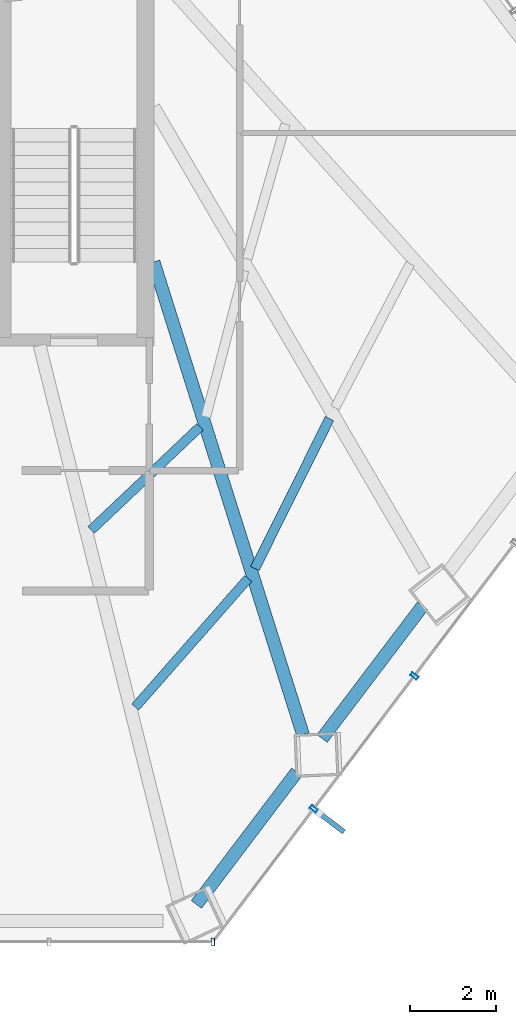
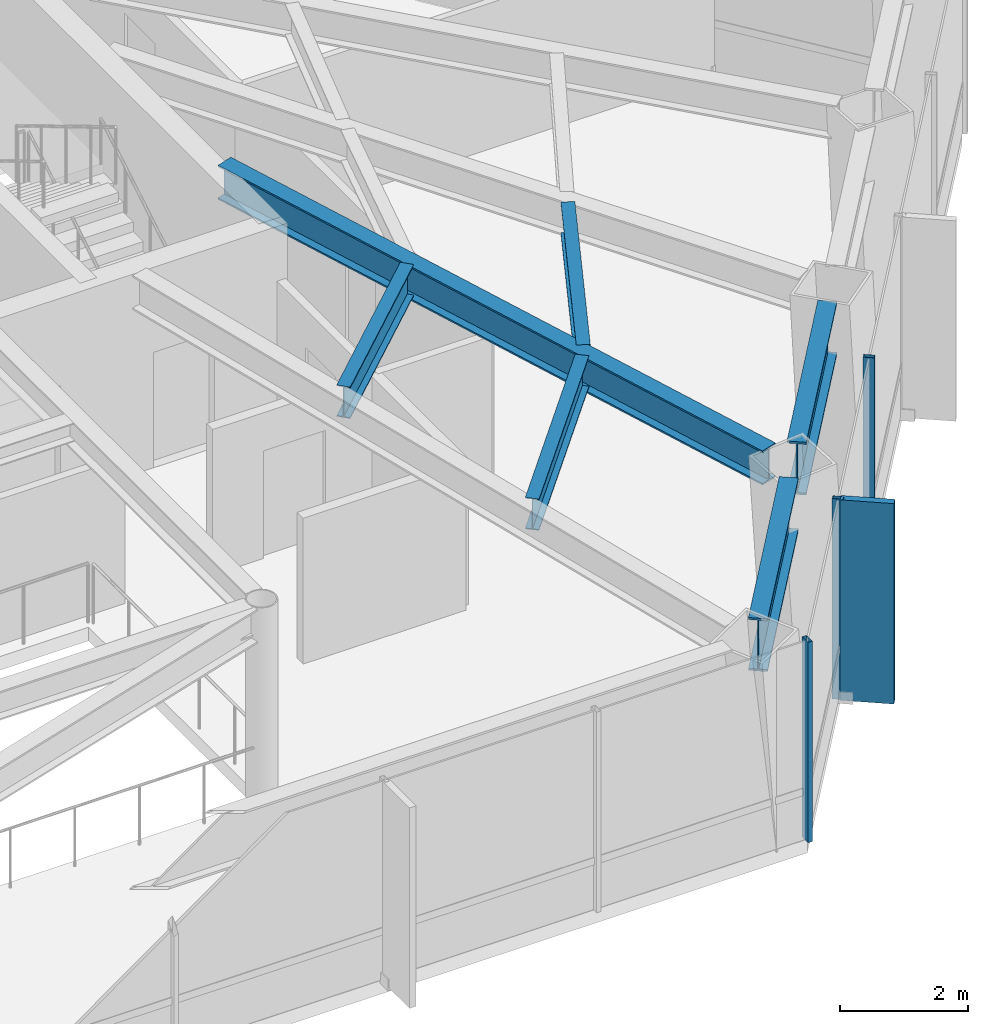
# One storey, part 17 of 26: 6 beams, 4 members, 2 elements without a shape of their own.
"""IFC4 building model written with IfcOpenShell, lengths in metres."""

from ifc_helpers import new_model, si_unit, direction, frame, origin, origin_2d, place, context, subcontext, project, spatial, rectangle, hollow_rectangle, i_section, extrude, material, layer, layer_set, material_profile, profile_set, type_object, element, aggregate, save


model = new_model("IFC4")

# Units and contexts
model_context = context("Model", 3, precision=1e-05, world=origin(), true_north=direction((0.0, 1.0)))
body_context = subcontext(model_context, "Body", "Model", "MODEL_VIEW")
ifc_project = project(units=[si_unit("LENGTHUNIT", "METRE"), si_unit("AREAUNIT", "SQUARE_METRE"), si_unit("VOLUMEUNIT", "CUBIC_METRE"), si_unit("PLANEANGLEUNIT", "RADIAN"), si_unit("MASSUNIT", "GRAM", prefix="KILO")], contexts=[model_context])

# Site, building, storey
site_placement = place(None, origin())
site = spatial("IfcSite", under=ifc_project, at=site_placement, CompositionType="ELEMENT")
building_placement = place(site_placement, origin())
building = spatial("IfcBuilding", under=site, at=building_placement, Name="Zarrinselat Tower", CompositionType="ELEMENT")
storey_placement = place(building_placement, frame((0.0, 0.0, 35.699951171875)))
storey = spatial("IfcBuildingStorey", under=building, at=storey_placement, Name="L08", CompositionType="ELEMENT", Elevation=35.699951171875)

# Beams
ifc_material_1 = material(Name="Steel S355J2", Category="steel")
ifc_material_profile_1 = material_profile(ifc_material_1, i_section(OverallWidth=0.300048828125, OverallDepth=0.64990234375, WebThickness=0.01611328125, FlangeThickness=0.031005859375, at=origin_2d()), Name="HEB 650")
ifc_profile_set_1 = profile_set([ifc_material_profile_1], Name="Steel S355J2")
beam_type_1 = type_object("IfcBeamType", Name="BM-HEB650", PredefinedType="BEAM", material=ifc_profile_set_1)
beam_1_placement = place(storey_placement, frame((48.449951171875, 35.0, 3.4951171875), z_axis=(0.301458810122, -0.953479200507, 0.0), x_axis=(0.953479200507, 0.301458810122, 0.0)))
element("IfcBeam", 1, at=beam_1_placement, inside=storey, type_object=beam_type_1, Name="L08 Radial Primary Girder RG12", PredefinedType="BEAM", context=body_context, shape_type="SweptSolid", body=[
    extrude(i_section(OverallWidth=0.300048828125, OverallDepth=0.64990234375, WebThickness=0.01611328125, FlangeThickness=0.031005859375, at=origin_2d()), origin(), (0.0, 0.0, 1.0), 11.525146484375),
])
ifc_material_2 = material(Name="Steel S460M", Category="steel")
ifc_material_profile_2 = material_profile(ifc_material_2, i_section(OverallWidth=0.302001953125, OverallDepth=1.008056640625, WebThickness=0.02099609375, FlangeThickness=0.0400390625, at=origin_2d()), Name="HEM 1000")
ifc_profile_set_2 = profile_set([ifc_material_profile_2], Name="Steel S460M")
beam_type_2 = type_object("IfcBeamType", Name="BM-HEM1000", PredefinedType="BEAM", material=ifc_profile_set_2)
beam_2_placement = place(storey_placement, frame((49.4462890625, 20.06201171875, 3.316162109375), z_axis=(0.603883222143, 0.797072803459, 0.0), x_axis=(-0.797072803459, 0.603883222143, 0.0)))
element("IfcBeam", 2, at=beam_2_placement, inside=storey, type_object=beam_type_2, Name="L08 Perimeter Spandrel Girder SP11", PredefinedType="BEAM", context=body_context, shape_type="SweptSolid", body=[
    extrude(i_section(OverallWidth=0.302001953125, OverallDepth=1.008056640625, WebThickness=0.02099609375, FlangeThickness=0.0400390625, at=origin_2d()), origin(), (0.0, 0.0, 1.0), 3.86572265625),
])
beam_3_placement = place(storey_placement, frame((52.3701171875, 23.92138671875, 3.316162109375), z_axis=(0.603852824523, 0.79709583258, 0.0), x_axis=(-0.79709583258, 0.603852824523, 0.0)))
element("IfcBeam", 3, at=beam_3_placement, inside=storey, type_object=beam_type_2, Name="L08 Perimeter Spandrel Girder SP12", PredefinedType="BEAM", context=body_context, shape_type="SweptSolid", body=[
    extrude(i_section(OverallWidth=0.302001953125, OverallDepth=1.008056640625, WebThickness=0.02099609375, FlangeThickness=0.0400390625, at=origin_2d()), origin(), (0.0, 0.0, 1.0), 3.865966796875),
])
ifc_material_3 = material(Name="Steel S355J2", Category="steel")
ifc_material_profile_3 = material_profile(ifc_material_3, i_section(OverallWidth=0.219970703125, OverallDepth=0.60009765625, WebThickness=0.011962890625, FlangeThickness=0.01904296875, at=origin_2d()), Name="IPE 600")
ifc_profile_set_3 = profile_set([ifc_material_profile_3], Name="Steel S355J2")
beam_type_3 = type_object("IfcBeamType", Name="BM-IPE600", PredefinedType="JOIST", material=ifc_profile_set_3)
beam_4_placement = place(storey_placement, frame((48.02392578125, 24.651123046875, 3.52001953125), z_axis=(0.659871278804, 0.751378663131, 0.0), x_axis=(-0.751378663131, 0.659871278804, 0.0)))
element("IfcBeam", 4, at=beam_4_placement, inside=storey, type_object=beam_type_3, Name="L08 Composite Floor Joist 3-1", PredefinedType="JOIST", context=body_context, shape_type="SweptSolid", body=[
    extrude(i_section(OverallWidth=0.219970703125, OverallDepth=0.60009765625, WebThickness=0.011962890625, FlangeThickness=0.01904296875, at=origin_2d()), origin(), (0.0, 0.0, 1.0), 3.980712890625),
])
beam_5_placement = place(storey_placement, frame((46.999755859375, 28.770263671875, 3.52001953125), z_axis=(0.725869844453, 0.687832079009, 0.0), x_axis=(-0.687832079009, 0.725869844453, 0.0)))
element("IfcBeam", 5, at=beam_5_placement, inside=storey, type_object=beam_type_3, Name="L08 Composite Floor Joist 3-2", PredefinedType="JOIST", context=body_context, shape_type="SweptSolid", body=[
    extrude(i_section(OverallWidth=0.219970703125, OverallDepth=0.60009765625, WebThickness=0.011962890625, FlangeThickness=0.01904296875, at=origin_2d()), origin(), (0.0, 0.0, 1.0), 3.485107421875),
])
beam_6_placement = place(storey_placement, frame((50.805419921875, 27.87255859375, 3.52001953125), z_axis=(0.445610008734, 0.895227189107, 0.0), x_axis=(-0.895227189107, 0.445610008734, 0.0)))
element("IfcBeam", 6, at=beam_6_placement, inside=storey, type_object=beam_type_3, Name="L08 Composite Floor Joist 4-1", PredefinedType="JOIST", context=body_context, shape_type="SweptSolid", body=[
    extrude(i_section(OverallWidth=0.219970703125, OverallDepth=0.60009765625, WebThickness=0.011962890625, FlangeThickness=0.01904296875, at=origin_2d()), origin(), (0.0, 0.0, 1.0), 3.899169921875),
])

# Curtain wall, member
ifc_material_4 = material(Name="Extruded Aluminium Alloy EN AW-6063 T6", Category="aluminium")
ifc_layer = layer(ifc_material_4, 0.18505859375)
ifc_layer_set = layer_set([ifc_layer], Name="Extruded Aluminium Alloy EN AW-6063 T6")
curtain_wall_type = type_object("IfcCurtainWallType", Name="CWS-OFF", PredefinedType="NOTDEFINED", material=ifc_layer_set)
curtain_wall_1_placement = place(storey_placement, origin())
curtain_wall_1 = element("IfcCurtainWall", 7, at=curtain_wall_1_placement, inside=storey, type_object=curtain_wall_type, Name="L08 Unitised Curtain Wall CW-L08-E04", PredefinedType="NOTDEFINED")
ifc_material_5 = material(Name="Extruded Aluminium Alloy EN AW-6063 T6", Category="aluminium")
ifc_material_profile_4 = material_profile(ifc_material_5, hollow_rectangle(XDim=0.080078125, YDim=0.179931640625, WallThickness=0.0048828125, at=origin_2d()), Name="RHS 180x80x5")
ifc_profile_set_4 = profile_set([ifc_material_profile_4], Name="Extruded Aluminium Alloy EN AW-6063 T6")
member_type_1 = type_object("IfcMemberType", Name="MEM-CW-MUL", PredefinedType="MULLION", material=ifc_profile_set_4)
member_1_placement = place(storey_placement, frame((49.831298828125, 19.1904296875, 0.0), z_axis=(0.0, 0.0, 1.0), x_axis=(1.0, 0.0, 0.0)))
member_1 = element("IfcMember", 8, at=member_1_placement, type_object=member_type_1, Name="CW-L08-E04 Mullion 7", PredefinedType="MULLION", context=body_context, shape_type="SweptSolid", body=[
    extrude(hollow_rectangle(XDim=0.080078125, YDim=0.179931640625, WallThickness=0.0048828125, at=origin_2d()), origin(), (0.0, 0.0, 1.0), 3.820068359375),
])
aggregate(curtain_wall_1, [member_1])

# Curtain wall, members
curtain_wall_2_placement = place(storey_placement, origin())
curtain_wall_2 = element("IfcCurtainWall", 9, at=curtain_wall_2_placement, inside=storey, type_object=curtain_wall_type, Name="L08 Unitised Curtain Wall CW-L08-E05", PredefinedType="NOTDEFINED")
member_2_placement = place(storey_placement, frame((52.17333984375, 22.281982421875, 0.0), z_axis=(0.0, 0.0, 1.0), x_axis=(0.603858382963, 0.797091621663, 0.0)))
member_2 = element("IfcMember", 10, at=member_2_placement, type_object=member_type_1, Name="CW-L08-E05 Mullion 1", PredefinedType="MULLION", context=body_context, shape_type="SweptSolid", body=[
    extrude(hollow_rectangle(XDim=0.080078125, YDim=0.179931640625, WallThickness=0.0048828125, at=origin_2d()), origin(), (0.0, 0.0, 1.0), 3.820068359375),
])
member_3_placement = place(storey_placement, frame((54.515380859375, 25.37353515625, 0.0), z_axis=(0.0, 0.0, 1.0), x_axis=(0.603858382963, 0.797091621663, 0.0)))
member_3 = element("IfcMember", 11, at=member_3_placement, type_object=member_type_1, Name="CW-L08-E05 Mullion 2", PredefinedType="MULLION", context=body_context, shape_type="SweptSolid", body=[
    extrude(hollow_rectangle(XDim=0.080078125, YDim=0.179931640625, WallThickness=0.0048828125, at=origin_2d()), origin(), (0.0, 0.0, 1.0), 3.820068359375),
])
ifc_material_6 = material(Name="Honed Cream Travertine Stone", Category="masonry")
ifc_material_profile_5 = material_profile(ifc_material_6, rectangle(XDim=0.1201171875, YDim=0.85009765625, at=origin_2d()), Name="FIN 850x120")
ifc_profile_set_5 = profile_set([ifc_material_profile_5], Name="Honed Cream Travertine Stone")
member_type_2 = type_object("IfcMemberType", Name="MEM-STONE-FIN", PredefinedType="USERDEFINED", material=ifc_profile_set_5)
member_4_placement = place(storey_placement, frame((52.5400390625, 22.004150390625, 0.0), z_axis=(0.0, 0.0, 1.0), x_axis=(-0.603858382963, -0.797091621663, 0.0)))
member_4 = element("IfcMember", 12, at=member_4_placement, type_object=member_type_2, Name="L08 Stone Shading Fin CW-L08-E05-01", ObjectType="FIN", PredefinedType="USERDEFINED", context=body_context, shape_type="SweptSolid", body=[
    extrude(rectangle(XDim=0.1201171875, YDim=0.85009765625, at=origin_2d()), origin(), (0.0, 0.0, 1.0), 3.820068359375),
])
aggregate(curtain_wall_2, [member_2, member_4, member_3])

save(model, "model.ifc")
